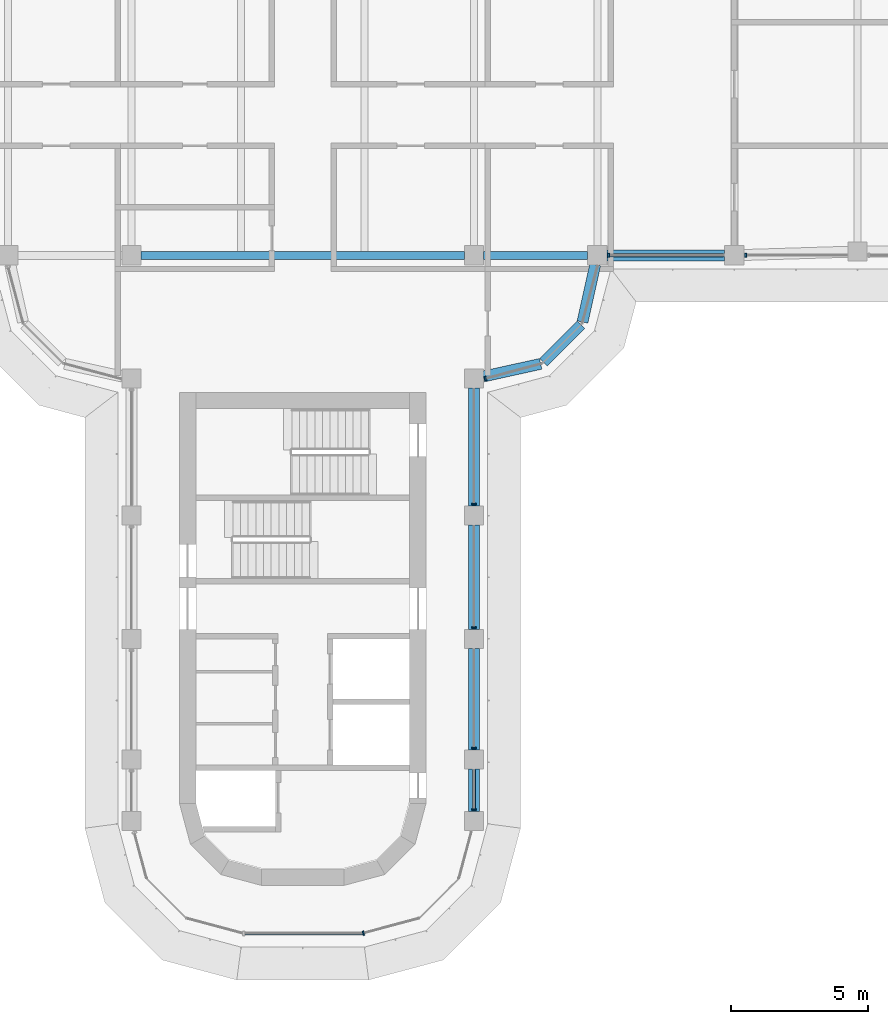
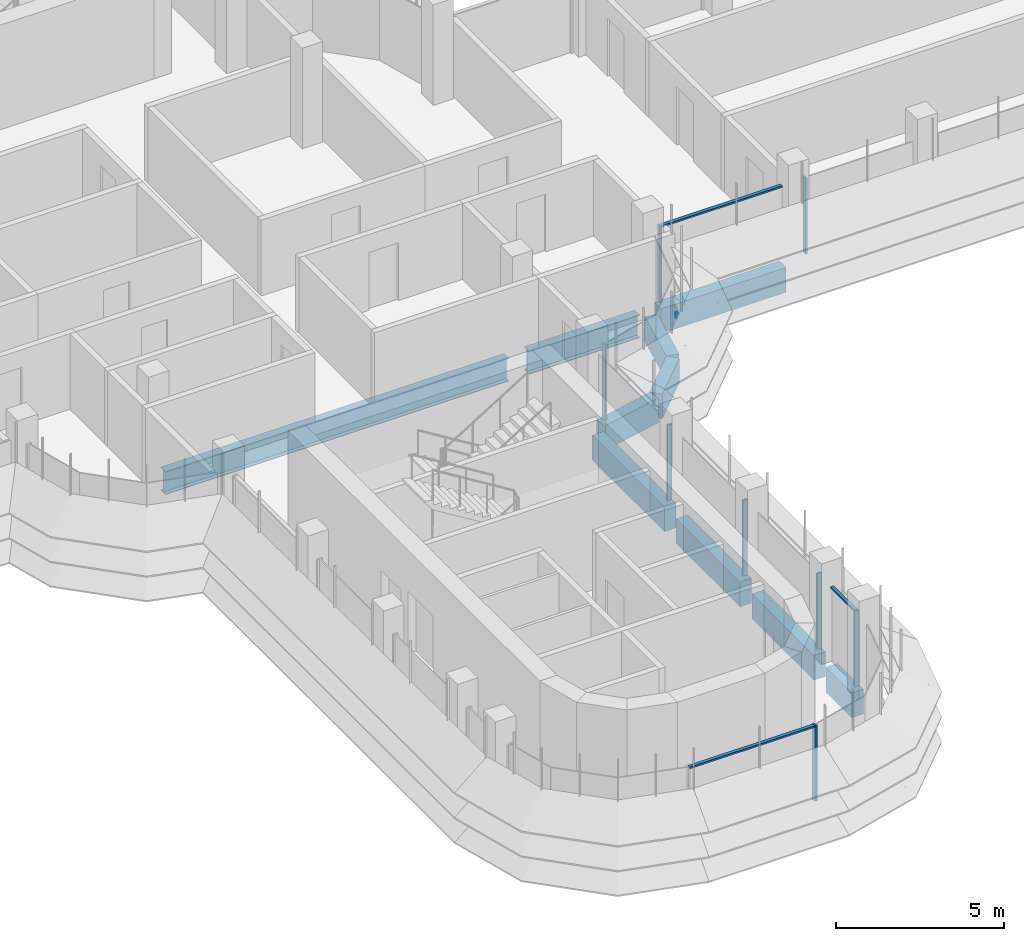
# One storey, part 4 of 19: 11 members, 10 beams, 5 elements without a shape of their own.
"""IFC4 building model written with IfcOpenShell, lengths in metres."""

from ifc_helpers import new_model, si_unit, direction, frame, origin, origin_2d, place, context, subcontext, project, spatial, polyline, rectangle, i_section, outline, extrude, source, transform, mapped, material, material_profile, profile_set, type_object, element, aggregate, save


model = new_model("IFC4")

# Units and contexts
model_context = context("Model", 3, precision=1e-05, world=origin(), true_north=direction((0.0, 1.0)))
body_context = subcontext(model_context, "Body", "Model", "MODEL_VIEW")
ifc_project = project(units=[si_unit("LENGTHUNIT", "METRE"), si_unit("AREAUNIT", "SQUARE_METRE"), si_unit("VOLUMEUNIT", "CUBIC_METRE"), si_unit("PLANEANGLEUNIT", "RADIAN"), si_unit("MASSUNIT", "GRAM", prefix="KILO")], contexts=[model_context])

# Site, building, storey
site_placement = place(None, origin())
site = spatial("IfcSite", under=ifc_project, at=site_placement, CompositionType="ELEMENT")
building_placement = place(site_placement, origin())
building = spatial("IfcBuilding", under=site, at=building_placement, Name="Zarbagh Exchange Tower", CompositionType="ELEMENT")
storey_placement = place(building_placement, frame((0.0, 0.0, 195.39990234375)))
storey = spatial("IfcBuildingStorey", under=building, at=storey_placement, Name="L47", CompositionType="ELEMENT", Elevation=195.39990234375)

# Beams
ifc_material_1 = material(Name="Steel ASTM A992 Gr 50", Category="steel")
ifc_material_profile_1 = material_profile(ifc_material_1, i_section(OverallWidth=0.2919921875, OverallDepth=0.835693359375, WebThickness=0.013916015625, FlangeThickness=0.018798828125, at=origin_2d()), Name="W33X118")
ifc_profile_set_1 = profile_set([ifc_material_profile_1], Name="Steel ASTM A992 Gr 50")
beam_type_1 = type_object("IfcBeamType", Name="Floor girder W33X118", PredefinedType="BEAM", material=ifc_profile_set_1)
beam_1_placement = place(storey_placement, frame((-5.89990234375, -6.25, -0.567626953125), z_axis=(1.0, 0.0, 0.0), x_axis=(0.0, 1.0, 0.0)))
element("IfcBeam", 1, at=beam_1_placement, inside=storey, type_object=beam_type_1, Name="Steel girder", PredefinedType="BEAM", context=body_context, shape_type="SweptSolid", body=[
    extrude(i_section(OverallWidth=0.2919921875, OverallDepth=0.835693359375, WebThickness=0.013916015625, FlangeThickness=0.018798828125, at=origin_2d()), origin(), (0.0, 0.0, 1.0), 11.7998046875),
])
beam_2_placement = place(storey_placement, frame((6.60009765625, -6.25, -0.567626953125), z_axis=(1.0, 0.0, 0.0), x_axis=(0.0, 1.0, 0.0)))
element("IfcBeam", 2, at=beam_2_placement, inside=storey, type_object=beam_type_1, Name="Steel girder", PredefinedType="BEAM", context=body_context, shape_type="SweptSolid", body=[
    extrude(i_section(OverallWidth=0.2919921875, OverallDepth=0.835693359375, WebThickness=0.013916015625, FlangeThickness=0.018798828125, at=origin_2d()), origin(), (0.0, 0.0, 1.0), 3.7998046875),
])
ifc_material_2 = material(Name="Concrete C50/60", Category="concrete")
ifc_material_profile_2 = material_profile(ifc_material_2, rectangle(XDim=0.39990234375, YDim=0.89990234375, at=origin_2d()), Name="RC spandrel beam 400 x 900 C50/60")
ifc_profile_set_2 = profile_set([ifc_material_profile_2], Name="Concrete C50/60")
beam_type_2 = type_object("IfcBeamType", Name="RC spandrel beam 400 x 900 C50/60", PredefinedType="SPANDREL", material=ifc_profile_set_2)
beam_3_placement = place(storey_placement, frame((15.39990234375, -6.25, -0.599853515625), z_axis=(-1.0, 0.0, 0.0), x_axis=(0.0, -1.0, 0.0)))
element("IfcBeam", 3, at=beam_3_placement, inside=storey, type_object=beam_type_2, Name="RC spandrel beam", PredefinedType="SPANDREL", context=body_context, shape_type="SweptSolid", body=[
    extrude(rectangle(XDim=0.39990234375, YDim=0.89990234375, at=origin_2d()), origin(), (0.0, 0.0, 1.0), 4.2998046875),
])
beam_4_placement = place(storey_placement, frame((10.67431640625, -6.591796875, -0.599853515625), z_axis=(-0.216013551096, -0.97639036545, 0.0), x_axis=(0.97639036545, -0.216013551096, 0.0)))
element("IfcBeam", 4, at=beam_4_placement, inside=storey, type_object=beam_type_2, Name="RC spandrel beam", PredefinedType="SPANDREL", context=body_context, shape_type="SweptSolid", body=[
    extrude(rectangle(XDim=0.39990234375, YDim=0.89990234375, at=origin_2d()), origin(), (0.0, 0.0, 1.0), 2.142822265625),
])
beam_5_placement = place(storey_placement, frame((10.15771484375, -8.782470703125, -0.599853515625), z_axis=(-0.707106781187, -0.707106781187, 0.0), x_axis=(0.707106781187, -0.707106781187, 0.0)))
element("IfcBeam", 5, at=beam_5_placement, inside=storey, type_object=beam_type_2, Name="RC spandrel beam", PredefinedType="SPANDREL", context=body_context, shape_type="SweptSolid", body=[
    extrude(rectangle(XDim=0.39990234375, YDim=0.89990234375, at=origin_2d()), origin(), (0.0, 0.0, 1.0), 1.94482421875),
])
beam_6_placement = place(storey_placement, frame((8.68408203125, -10.21142578125, -0.599853515625), z_axis=(-0.97639036545, -0.216013551096, 0.0), x_axis=(0.216013551096, -0.97639036545, 0.0)))
element("IfcBeam", 6, at=beam_6_placement, inside=storey, type_object=beam_type_2, Name="RC spandrel beam", PredefinedType="SPANDREL", context=body_context, shape_type="SweptSolid", body=[
    extrude(rectangle(XDim=0.39990234375, YDim=0.89990234375, at=origin_2d()), origin(), (0.0, 0.0, 1.0), 2.142822265625),
])
beam_7_placement = place(storey_placement, frame((6.25, -11.10009765625, -0.599853515625), z_axis=(0.0, -1.0, 0.0), x_axis=(1.0, 0.0, 0.0)))
element("IfcBeam", 7, at=beam_7_placement, inside=storey, type_object=beam_type_2, Name="RC spandrel beam", PredefinedType="SPANDREL", context=body_context, shape_type="SweptSolid", body=[
    extrude(rectangle(XDim=0.39990234375, YDim=0.89990234375, at=origin_2d()), origin(), (0.0, 0.0, 1.0), 4.2998046875),
])
beam_8_placement = place(storey_placement, frame((6.25, -16.10009765625, -0.599853515625), z_axis=(0.0, -1.0, 0.0), x_axis=(1.0, 0.0, 0.0)))
element("IfcBeam", 8, at=beam_8_placement, inside=storey, type_object=beam_type_2, Name="RC spandrel beam", PredefinedType="SPANDREL", context=body_context, shape_type="SweptSolid", body=[
    extrude(rectangle(XDim=0.39990234375, YDim=0.89990234375, at=origin_2d()), origin(), (0.0, 0.0, 1.0), 3.7998046875),
])
beam_9_placement = place(storey_placement, frame((6.25, -20.60009765625, -0.599853515625), z_axis=(0.0, -1.0, 0.0), x_axis=(1.0, 0.0, 0.0)))
element("IfcBeam", 9, at=beam_9_placement, inside=storey, type_object=beam_type_2, Name="RC spandrel beam", PredefinedType="SPANDREL", context=body_context, shape_type="SweptSolid", body=[
    extrude(rectangle(XDim=0.39990234375, YDim=0.89990234375, at=origin_2d()), origin(), (0.0, 0.0, 1.0), 3.699951171875),
])
beam_10_placement = place(storey_placement, frame((6.25, -25.0, -0.599853515625), z_axis=(0.0, -1.0, 0.0), x_axis=(1.0, 0.0, 0.0)))
element("IfcBeam", 10, at=beam_10_placement, inside=storey, type_object=beam_type_2, Name="RC spandrel beam", PredefinedType="SPANDREL", context=body_context, shape_type="SweptSolid", body=[
    extrude(rectangle(XDim=0.39990234375, YDim=0.89990234375, at=origin_2d()), origin(), (0.0, 0.0, 1.0), 1.550048828125),
])

# Curtain wall, member
ifc_material_3 = material(Name="Anodised aluminium frame and glazing", Category="aluminium")
curtain_wall_type = type_object("IfcCurtainWallType", Name="CWB Ribbon glazing, upper zones", PredefinedType="NOTDEFINED", material=ifc_material_3)
curtain_wall_1_placement = place(storey_placement, origin())
curtain_wall_1 = element("IfcCurtainWall", 11, at=curtain_wall_1_placement, inside=storey, type_object=curtain_wall_type, Name="CWB49 curtain wall", PredefinedType="NOTDEFINED")
ifc_material_4 = material(Name="Anodised aluminium frame", Category="aluminium")
member_type_1 = type_object("IfcMemberType", Name="MUB Mullion, anodised aluminium frame", PredefinedType="MULLION", material=ifc_material_4)
shared_shape_1 = source(origin(), body_context, "Body", "SweptSolid", [
    extrude(outline(polyline([(0.0, -0.080078125), (0.06005859375, -0.080078125), (0.06005859375, 0.080078125), (0.0, 0.080078125), (0.0, -0.080078125)])), origin(), (0.0, 0.0, 1.0), 2.75),
])
placement = place(storey_placement, origin())
member_1 = element("IfcMember", 12, at=placement, type_object=member_type_1, Name="CWB49 mullion 1.1", PredefinedType="MULLION", context=body_context, shape_type="MappedRepresentation", body=[
    mapped(shared_shape_1, transform((2.18408203125, -31.0, 0.0), x_axis=(0.965924289636, 0.258824779902, 0.0), y_axis=(-0.258824779902, 0.965924289636, 0.0), z_axis=(0.0, 0.0, 1.0))),
])
aggregate(curtain_wall_1, [member_1])

# Curtain wall, members
curtain_wall_2_placement = place(storey_placement, origin())
curtain_wall_2 = element("IfcCurtainWall", 13, at=curtain_wall_2_placement, inside=storey, type_object=curtain_wall_type, Name="CWB52 curtain wall", PredefinedType="NOTDEFINED")
member_2 = element("IfcMember", 14, at=placement, type_object=member_type_1, Name="CWB52 mullion 1.1", PredefinedType="MULLION", context=body_context, shape_type="MappedRepresentation", body=[
    mapped(shared_shape_1, transform((6.25, -26.510009765625, 0.0), x_axis=(0.0, 1.0, 0.0), y_axis=(-1.0, 0.0, 0.0), z_axis=(0.0, 0.0, 1.0))),
])
member_3 = element("IfcMember", 15, at=placement, type_object=member_type_1, Name="CWB52 mullion 2.1", PredefinedType="MULLION", context=body_context, shape_type="MappedRepresentation", body=[
    mapped(shared_shape_1, transform((6.25, -24.260009765625, 0.0), x_axis=(0.0, 1.0, 0.0), y_axis=(-1.0, 0.0, 0.0), z_axis=(0.0, 0.0, 1.0))),
])
member_4 = element("IfcMember", 16, at=placement, type_object=member_type_1, Name="CWB52 mullion 3.1", PredefinedType="MULLION", context=body_context, shape_type="MappedRepresentation", body=[
    mapped(shared_shape_1, transform((6.25, -19.85986328125, 0.0), x_axis=(0.0, 1.0, 0.0), y_axis=(-1.0, 0.0, 0.0), z_axis=(0.0, 0.0, 1.0))),
])
member_5 = element("IfcMember", 17, at=placement, type_object=member_type_1, Name="CWB52 mullion 4.1", PredefinedType="MULLION", context=body_context, shape_type="MappedRepresentation", body=[
    mapped(shared_shape_1, transform((6.25, -15.35986328125, 0.0), x_axis=(0.0, 1.0, 0.0), y_axis=(-1.0, 0.0, 0.0), z_axis=(0.0, 0.0, 1.0))),
])

# Curtain wall, member
curtain_wall_3_placement = place(storey_placement, origin())
curtain_wall_3 = element("IfcCurtainWall", 18, at=curtain_wall_3_placement, inside=storey, type_object=curtain_wall_type, Name="CWB05 curtain wall", PredefinedType="NOTDEFINED")
member_6 = element("IfcMember", 19, at=placement, type_object=member_type_1, Name="CWB05 mullion 1.1", PredefinedType="MULLION", context=body_context, shape_type="MappedRepresentation", body=[
    mapped(shared_shape_1, transform((6.64013671875, -10.76171875, 0.0), x_axis=(0.965924289636, 0.258824779902, 0.0), y_axis=(-0.258824779902, 0.965924289636, 0.0), z_axis=(0.0, 0.0, 1.0))),
])
aggregate(curtain_wall_3, [member_6])

# Curtain wall, members
curtain_wall_4_placement = place(storey_placement, origin())
curtain_wall_4 = element("IfcCurtainWall", 20, at=curtain_wall_4_placement, inside=storey, type_object=curtain_wall_type, Name="CWB08 curtain wall", PredefinedType="NOTDEFINED")
member_7 = element("IfcMember", 21, at=placement, type_object=member_type_1, Name="CWB08 mullion 1.1", PredefinedType="MULLION", context=body_context, shape_type="MappedRepresentation", body=[
    mapped(shared_shape_1, transform((11.14013671875, -6.25, 0.0), x_axis=(1.0, 0.0, 0.0), y_axis=(0.0, 1.0, 0.0), z_axis=(0.0, 0.0, 1.0))),
])
member_8 = element("IfcMember", 22, at=placement, type_object=member_type_1, Name="CWB08 mullion 2.1", PredefinedType="MULLION", context=body_context, shape_type="MappedRepresentation", body=[
    mapped(shared_shape_1, transform((16.14013671875, -6.25, 0.0), x_axis=(1.0, 0.0, 0.0), y_axis=(0.0, 1.0, 0.0), z_axis=(0.0, 0.0, 1.0))),
])

# Curtain wall, member
curtain_wall_5_placement = place(storey_placement, origin())
curtain_wall_5 = element("IfcCurtainWall", 23, at=curtain_wall_5_placement, inside=storey, type_object=curtain_wall_type, Name="CWB57 curtain wall", PredefinedType="NOTDEFINED")
member_type_2 = type_object("IfcMemberType", Name="TRB Transom, anodised aluminium frame", PredefinedType="USERDEFINED", material=ifc_material_4)
shared_shape_2 = source(origin(), body_context, "Body", "SweptSolid", [
    extrude(outline(polyline([(-0.06005859375, -0.06005859375), (0.0, -0.06005859375), (0.0, 0.06005859375), (-0.06005859375, 0.06005859375), (-0.06005859375, -0.06005859375)])), origin(), (0.0, 0.0, 1.0), 4.308349609375),
])
member_9 = element("IfcMember", 24, at=placement, type_object=member_type_2, Name="CWB57 transom 1.1", ObjectType="TRANSOM", PredefinedType="USERDEFINED", context=body_context, shape_type="MappedRepresentation", body=[
    mapped(shared_shape_2, transform((-2.124267578125, -31.0, 2.75), x_axis=(0.0, 0.0, 1.0), y_axis=(0.0, -1.0, 0.0), z_axis=(1.0, 0.0, 0.0))),
])
aggregate(curtain_wall_5, [member_9])

# Member
shared_shape_3 = source(origin(), body_context, "Body", "SweptSolid", [
    extrude(outline(polyline([(-0.06005859375, -0.06005859375), (0.0, -0.06005859375), (0.0, 0.06005859375), (-0.06005859375, 0.06005859375), (-0.06005859375, -0.06005859375)])), origin(), (0.0, 0.0, 1.0), 1.409912109375),
])
member_10 = element("IfcMember", 25, at=placement, type_object=member_type_2, Name="CWB52 transom 1.1", ObjectType="TRANSOM", PredefinedType="USERDEFINED", context=body_context, shape_type="MappedRepresentation", body=[
    mapped(shared_shape_3, transform((6.25, -26.449951171875, 2.75), x_axis=(0.0, 0.0, 1.0), y_axis=(1.0, 0.0, 0.0), z_axis=(0.0, 1.0, 0.0))),
])

aggregate(curtain_wall_2, [member_2, member_10, member_3, member_4, member_5])

shared_shape_4 = source(origin(), body_context, "Body", "SweptSolid", [
    extrude(outline(polyline([(-0.06005859375, -0.06005859375), (0.0, -0.06005859375), (0.0, 0.06005859375), (-0.06005859375, 0.06005859375), (-0.06005859375, -0.06005859375)])), origin(), (0.0, 0.0, 1.0), 4.159912109375),
])
member_11 = element("IfcMember", 26, at=placement, type_object=member_type_2, Name="CWB08 transom 1.1", ObjectType="TRANSOM", PredefinedType="USERDEFINED", context=body_context, shape_type="MappedRepresentation", body=[
    mapped(shared_shape_4, transform((11.199951171875, -6.25, 2.75), x_axis=(0.0, 0.0, 1.0), y_axis=(0.0, -1.0, 0.0), z_axis=(1.0, 0.0, 0.0))),
])

aggregate(curtain_wall_4, [member_7, member_11, member_8])

save(model, "model.ifc")
